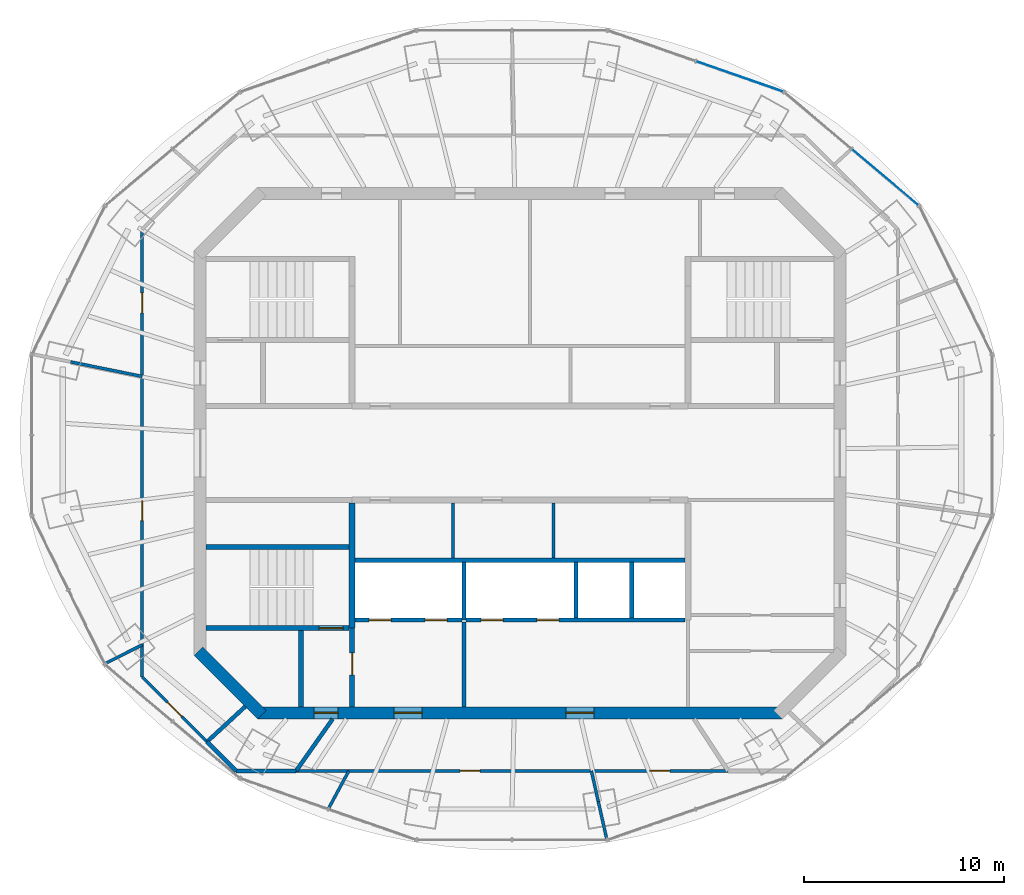
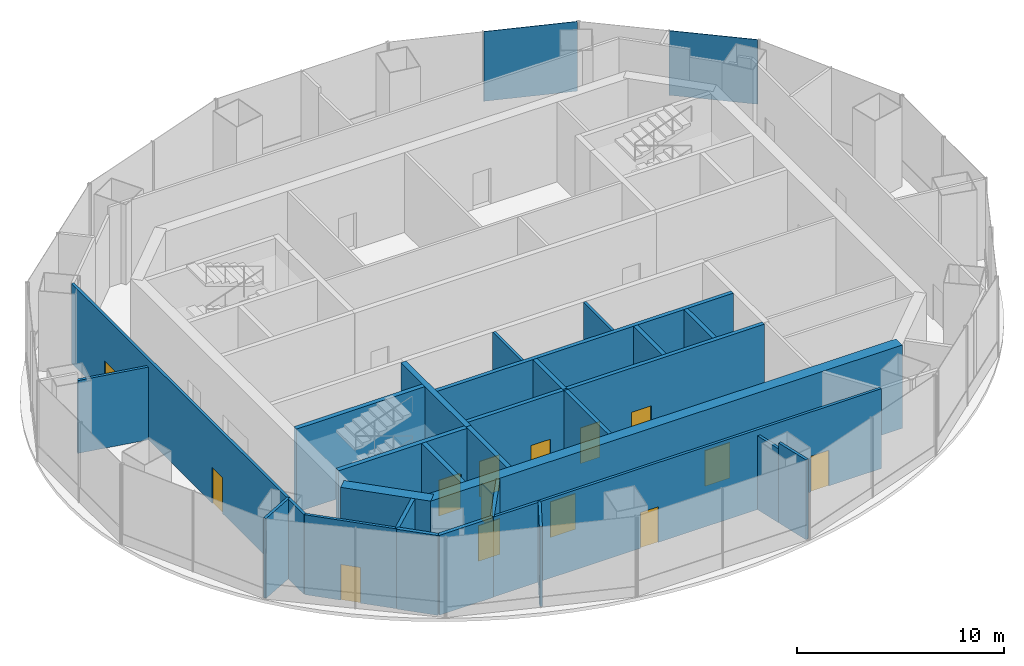
# One storey, part 8 of 11: 28 walls, 14 doors, 2 plates, 14 openings, 2 elements without a shape of their own.
"""IFC4 building model written with IfcOpenShell, lengths in metres."""

from ifc_helpers import new_model, si_unit, direction, frame, frame_2d, origin, origin_2d, place, context, subcontext, project, spatial, rectangle, extrude, material, layer, layer_set, type_object, element, fill, aggregate, save


model = new_model("IFC4")

# Units and contexts
model_context = context("Model", 3, precision=1e-05, world=origin(), true_north=direction((0.0, 1.0)))
body_context = subcontext(model_context, "Body", "Model", "MODEL_VIEW")
ifc_project = project(units=[si_unit("LENGTHUNIT", "METRE"), si_unit("AREAUNIT", "SQUARE_METRE"), si_unit("VOLUMEUNIT", "CUBIC_METRE"), si_unit("PLANEANGLEUNIT", "RADIAN"), si_unit("MASSUNIT", "GRAM", prefix="KILO")], contexts=[model_context])

# Site, building, storey
site_placement = place(None, origin())
site = spatial("IfcSite", under=ifc_project, at=site_placement, CompositionType="ELEMENT")
building_placement = place(site_placement, origin())
building = spatial("IfcBuilding", under=site, at=building_placement, Name="Marenthal Gate Tower", CompositionType="ELEMENT")
storey_placement = place(building_placement, frame((0.0, 0.0, 418.550048828125)))
storey = spatial("IfcBuildingStorey", under=building, at=storey_placement, Name="L94", CompositionType="ELEMENT", Elevation=418.550048828125)

# Curtain wall, plate
ifc_material_1 = material(Name="Aluminium and glass", Category="aluminium")
curtain_wall_type_1 = type_object("IfcCurtainWallType", Name="Curtain wall typical high", PredefinedType="NOTDEFINED", material=ifc_material_1)
curtain_wall_1_placement = place(storey_placement, origin())
curtain_wall_1 = element("IfcCurtainWall", 1, at=curtain_wall_1_placement, inside=storey, type_object=curtain_wall_type_1, Name="Curtain wall L94 bay 2", PredefinedType="NOTDEFINED")
ifc_material_2 = material(Name="Glass, laminated insulating unit", Category="glass")
ifc_layer_1 = layer(ifc_material_2, 0.031982421875)
ifc_layer_set_1 = layer_set([ifc_layer_1], Name="Glass panel 32 typical high")
plate_type_1 = type_object("IfcPlateType", Name="Glass panel 32 typical high", PredefinedType="CURTAIN_PANEL", material=ifc_layer_set_1)
plate_1_placement = place(storey_placement, frame((18.265869140625, 13.805908203125, 0.89990234375), z_axis=(0.0, 0.0, 1.0), x_axis=(-0.76457840185, 0.644530734274, 0.0)))
plate_1 = element("IfcPlate", 2, at=plate_1_placement, type_object=plate_type_1, Name="Glass panel L94 bay 2.1", PredefinedType="CURTAIN_PANEL", context=body_context, shape_type="SweptSolid", body=[
    extrude(rectangle(XDim=4.32958984375, YDim=0.031982421875, at=origin_2d()), origin(), (0.0, 0.0, 1.0), 3.800048828125),
])
aggregate(curtain_wall_1, [plate_1])

ifc_material_3 = material(Name="Aluminium and glass", Category="aluminium")
curtain_wall_type_2 = type_object("IfcCurtainWallType", Name="Curtain wall crown clad", PredefinedType="NOTDEFINED", material=ifc_material_3)
curtain_wall_2_placement = place(storey_placement, origin())
curtain_wall_2 = element("IfcCurtainWall", 3, at=curtain_wall_2_placement, inside=storey, type_object=curtain_wall_type_2, Name="Curtain wall L94 bay 3", PredefinedType="NOTDEFINED")
ifc_material_4 = material(Name="Terracotta cladding panel", Category="masonry")
ifc_layer_2 = layer(ifc_material_4, 0.031982421875)
ifc_layer_set_2 = layer_set([ifc_layer_2], Name="Terracotta panel 32 crown clad")
plate_type_2 = type_object("IfcPlateType", Name="Terracotta panel 32 crown clad", PredefinedType="CURTAIN_PANEL", material=ifc_layer_set_2)
plate_2_placement = place(storey_placement, frame((10.987060546875, 18.8447265625, 0.599853515625), z_axis=(0.0, 0.0, 1.0), x_axis=(-0.944101467707, 0.329654999466, 0.0)))
plate_2 = element("IfcPlate", 4, at=plate_2_placement, type_object=plate_type_2, Name="Terracotta panel L94 bay 3.1", PredefinedType="CURTAIN_PANEL", context=body_context, shape_type="SweptSolid", body=[
    extrude(rectangle(XDim=4.58642578125, YDim=0.031982421875, at=origin_2d()), origin(), (0.0, 0.0, 1.0), 4.10009765625),
])
aggregate(curtain_wall_2, [plate_2])

# Wall
ifc_material_5 = material(Name="Concrete 60 MPa", Category="concrete")
ifc_layer_3 = layer(ifc_material_5, 0.60009765625)
ifc_layer_set_3 = layer_set([ifc_layer_3], Name="Core shear wall 600")
wall_type_1 = type_object("IfcWallType", Name="Core shear wall 600", PredefinedType="SHEAR", material=ifc_layer_set_3)
wall_1_placement = place(storey_placement, frame((-16.087890625, -9.912109375, -0.199951171875), z_axis=(0.0, 0.0, 1.0), x_axis=(0.707106781187, -0.707106781187, 0.0)))
element("IfcWall", 5, at=wall_1_placement, inside=storey, type_object=wall_type_1, Name="Core wall 07", PredefinedType="SHEAR", context=body_context, shape_type="SweptSolid", body=[
    extrude(rectangle(XDim=4.4912109375, YDim=0.60009765625, at=frame_2d((2.24560546875, 0.0))), origin(), (0.0, 0.0, 1.0), 4.89990234375),
])

# Wall, openings, doors
wall_2_placement = place(storey_placement, frame((-13.124267578125, -13.0, -0.199951171875), z_axis=(0.0, 0.0, 1.0), x_axis=(1.0, 0.0, 0.0)))
wall_2 = element("IfcWall", 6, at=wall_2_placement, inside=storey, type_object=wall_type_1, Name="Core wall 08", PredefinedType="SHEAR", context=body_context, shape_type="SweptSolid", body=[
    extrude(rectangle(XDim=26.24853515625, YDim=0.60009765625, at=frame_2d((13.124267578125, 0.0))), origin(), (0.0, 0.0, 1.0), 4.89990234375),
])
opening_1_placement = place(wall_2_placement, frame((2.82421875, 0.0, 0.199951171875)))
opening_1 = element("IfcOpeningElement", 7, at=opening_1_placement, cuts=wall_2, Name="Opening D001.06", PredefinedType="OPENING", context=body_context, shape_type="SweptSolid", body=[
    extrude(rectangle(XDim=1.199951171875, YDim=2.10009765625, at=frame_2d((0.60009765625, 1.050048828125))), frame((0.0, 0.31005859375, 0.0), z_axis=(0.0, -1.0, 0.0), x_axis=(1.0, 0.0, 0.0)), (0.0, 0.0, 1.0), 0.6201171875),
])
opening_2_placement = place(wall_2_placement, frame((6.82421875, 0.0, 0.199951171875)))
opening_2 = element("IfcOpeningElement", 8, at=opening_2_placement, cuts=wall_2, Name="Opening D004.01", PredefinedType="OPENING", context=body_context, shape_type="SweptSolid", body=[
    extrude(rectangle(XDim=1.39990234375, YDim=2.10009765625, at=frame_2d((0.699951171875, 1.050048828125))), frame((0.0, 0.31005859375, 0.0), z_axis=(0.0, -1.0, 0.0), x_axis=(1.0, 0.0, 0.0)), (0.0, 0.0, 1.0), 0.6201171875),
])
opening_3_placement = place(wall_2_placement, frame((15.42431640625, 0.0, 0.199951171875)))
opening_3 = element("IfcOpeningElement", 9, at=opening_3_placement, cuts=wall_2, Name="Opening D004.02", PredefinedType="OPENING", context=body_context, shape_type="SweptSolid", body=[
    extrude(rectangle(XDim=1.39990234375, YDim=2.10009765625, at=frame_2d((0.699951171875, 1.050048828125))), frame((0.0, 0.31005859375, 0.0), z_axis=(0.0, -1.0, 0.0), x_axis=(1.0, 0.0, 0.0)), (0.0, 0.0, 1.0), 0.6201171875),
])
ifc_material_6 = material(Name="Steel fire door", Category="steel")
door_type_1 = type_object("IfcDoorType", Name="Fire door FD 45 1400 x 2100", OperationType="NOTDEFINED", PredefinedType="DOOR", material=ifc_material_6)
door_1_placement = place(opening_2_placement, origin())
door_1 = element("IfcDoor", 10, at=door_1_placement, inside=storey, type_object=door_type_1, Name="Door D004.01", OperationType="SINGLE_SWING_RIGHT", OverallHeight=2.10009765625, OverallWidth=1.39990234375, PredefinedType="DOOR", context=body_context, shape_type="SweptSolid", body=[
    extrude(rectangle(XDim=1.39990234375, YDim=2.10009765625, at=frame_2d((0.699951171875, 1.050048828125))), frame((0.0, 0.02490234375, 0.0), z_axis=(0.0, -1.0, 0.0), x_axis=(1.0, 0.0, 0.0)), (0.0, 0.0, 1.0), 0.050048828125),
])
fill(opening_2, door_1)
door_2_placement = place(opening_3_placement, origin())
door_2 = element("IfcDoor", 11, at=door_2_placement, inside=storey, type_object=door_type_1, Name="Door D004.02", OperationType="SINGLE_SWING_RIGHT", OverallHeight=2.10009765625, OverallWidth=1.39990234375, PredefinedType="DOOR", context=body_context, shape_type="SweptSolid", body=[
    extrude(rectangle(XDim=1.39990234375, YDim=2.10009765625, at=frame_2d((0.699951171875, 1.050048828125))), frame((0.0, 0.02490234375, 0.0), z_axis=(0.0, -1.0, 0.0), x_axis=(1.0, 0.0, 0.0)), (0.0, 0.0, 1.0), 0.050048828125),
])
fill(opening_3, door_2)
ifc_material_7 = material(Name="Steel fire door", Category="steel")
door_type_2 = type_object("IfcDoorType", Name="Fire door FD 90 1200 x 2100", OperationType="NOTDEFINED", PredefinedType="DOOR", material=ifc_material_7)
door_3_placement = place(opening_1_placement, frame((1.199951171875, 0.0, 0.0), z_axis=(0.0, 0.0, 1.0), x_axis=(-1.0, 0.0, 0.0)))
door_3 = element("IfcDoor", 12, at=door_3_placement, inside=storey, type_object=door_type_2, Name="Door D001.06", OperationType="SINGLE_SWING_LEFT", OverallHeight=2.10009765625, OverallWidth=1.199951171875, PredefinedType="DOOR", context=body_context, shape_type="SweptSolid", body=[
    extrude(rectangle(XDim=1.199951171875, YDim=2.10009765625, at=frame_2d((0.60009765625, 1.050048828125))), frame((0.0, 0.02490234375, 0.0), z_axis=(0.0, -1.0, 0.0), x_axis=(1.0, 0.0, 0.0)), (0.0, 0.0, 1.0), 0.050048828125),
])
fill(opening_1, door_3)

# Walls
ifc_material_8 = material(Name="Gypsum board on steel studs", Category="steel")
ifc_layer_4 = layer(ifc_material_8, 0.199951171875)
ifc_layer_set_4 = layer_set([ifc_layer_4], Name="Fire lobby wall 200")
wall_type_2 = type_object("IfcWallType", Name="Fire lobby wall 200", PredefinedType="PARTITIONING", material=ifc_layer_set_4)
wall_3_placement = place(storey_placement, frame((-2.800048828125, -12.699951171875, 0.0), z_axis=(0.0, 0.0, 1.0), x_axis=(0.0, 1.0, 0.0)))
element("IfcWall", 13, at=wall_3_placement, inside=storey, type_object=wall_type_2, Name="Fire wall 35", PredefinedType="PARTITIONING", context=body_context, shape_type="SweptSolid", body=[
    extrude(rectangle(XDim=4.239990234375, YDim=0.199951171875, at=frame_2d((2.1201171875, 0.0))), origin(), (0.0, 0.0, 1.0), 4.699951171875),
])
ifc_material_9 = material(Name="Concrete 50 MPa", Category="concrete")
ifc_layer_5 = layer(ifc_material_9, 0.300048828125)
ifc_layer_set_5 = layer_set([ifc_layer_5], Name="Hoistway shear wall 300")
wall_type_3 = type_object("IfcWallType", Name="Hoistway shear wall 300", PredefinedType="SHEAR", material=ifc_layer_set_5)
wall_4_placement = place(storey_placement, frame((-8.39990234375, -8.75, -0.199951171875), z_axis=(0.0, 0.0, 1.0), x_axis=(0.0, 1.0, 0.0)))
element("IfcWall", 14, at=wall_4_placement, inside=storey, type_object=wall_type_3, Name="Hoistway wall 30", PredefinedType="SHEAR", context=body_context, shape_type="SweptSolid", body=[
    extrude(rectangle(XDim=6.25, YDim=0.300048828125, at=frame_2d((3.125, 0.0))), origin(), (0.0, 0.0, 1.0), 4.89990234375),
])

# Wall, openings, doors
ifc_material_10 = material(Name="Concrete 40 MPa", Category="concrete")
ifc_layer_6 = layer(ifc_material_10, 0.219970703125)
ifc_layer_set_6 = layer_set([ifc_layer_6], Name="Hoistway wall 220")
wall_type_4 = type_object("IfcWallType", Name="Hoistway wall 220", PredefinedType="STANDARD", material=ifc_layer_set_6)
wall_5_placement = place(storey_placement, frame((-8.25, -8.35009765625, 0.0), z_axis=(0.0, 0.0, 1.0), x_axis=(1.0, 0.0, 0.0)))
wall_5 = element("IfcWall", 15, at=wall_5_placement, inside=storey, type_object=wall_type_4, Name="Hoistway wall 11", PredefinedType="STANDARD", context=body_context, shape_type="SweptSolid", body=[
    extrude(rectangle(XDim=5.340087890625, YDim=0.219970703125, at=frame_2d((2.669921875, 0.0))), origin(), (0.0, 0.0, 1.0), 4.699951171875),
])
opening_4_placement = place(wall_5_placement, frame((0.699951171875, 0.0, 0.0)))
opening_4 = element("IfcOpeningElement", 16, at=opening_4_placement, cuts=wall_5, Name="Opening LD-LF1", PredefinedType="OPENING", context=body_context, shape_type="SweptSolid", body=[
    extrude(rectangle(XDim=1.10009765625, YDim=2.10009765625, at=frame_2d((0.550048828125, 1.050048828125))), frame((0.0, 0.1201171875, 0.0), z_axis=(0.0, -1.0, 0.0), x_axis=(1.0, 0.0, 0.0)), (0.0, 0.0, 1.0), 0.239990234375),
])
opening_5_placement = place(wall_5_placement, frame((3.5, 0.0, 0.0)))
opening_5 = element("IfcOpeningElement", 17, at=opening_5_placement, cuts=wall_5, Name="Opening LD-LF2", PredefinedType="OPENING", context=body_context, shape_type="SweptSolid", body=[
    extrude(rectangle(XDim=1.10009765625, YDim=2.10009765625, at=frame_2d((0.550048828125, 1.050048828125))), frame((0.0, 0.1201171875, 0.0), z_axis=(0.0, -1.0, 0.0), x_axis=(1.0, 0.0, 0.0)), (0.0, 0.0, 1.0), 0.239990234375),
])
ifc_material_11 = material(Name="Stainless steel sliding door", Category="steel")
door_type_3 = type_object("IfcDoorType", Name="Lift landing door FD 90 1100 x 2100", OperationType="DOUBLE_DOOR_SLIDING", PredefinedType="DOOR", material=ifc_material_11)
door_4_placement = place(opening_4_placement, origin())
door_4 = element("IfcDoor", 18, at=door_4_placement, inside=storey, type_object=door_type_3, Name="Lift landing door LF1", OperationType="DOUBLE_DOOR_SLIDING", OverallHeight=2.10009765625, OverallWidth=1.10009765625, PredefinedType="DOOR", context=body_context, shape_type="SweptSolid", body=[
    extrude(rectangle(XDim=1.10009765625, YDim=2.10009765625, at=frame_2d((0.550048828125, 1.050048828125))), frame((0.0, 0.02490234375, 0.0), z_axis=(0.0, -1.0, 0.0), x_axis=(1.0, 0.0, 0.0)), (0.0, 0.0, 1.0), 0.050048828125),
])
fill(opening_4, door_4)
door_5_placement = place(opening_5_placement, origin())
door_5 = element("IfcDoor", 19, at=door_5_placement, inside=storey, type_object=door_type_3, Name="Lift landing door LF2", OperationType="DOUBLE_DOOR_SLIDING", OverallHeight=2.10009765625, OverallWidth=1.10009765625, PredefinedType="DOOR", context=body_context, shape_type="SweptSolid", body=[
    extrude(rectangle(XDim=1.10009765625, YDim=2.10009765625, at=frame_2d((0.550048828125, 1.050048828125))), frame((0.0, 0.02490234375, 0.0), z_axis=(0.0, -1.0, 0.0), x_axis=(1.0, 0.0, 0.0)), (0.0, 0.0, 1.0), 0.050048828125),
])
fill(opening_5, door_5)

wall_6_placement = place(storey_placement, frame((-2.68994140625, -8.35009765625, 0.0), z_axis=(0.0, 0.0, 1.0), x_axis=(1.0, 0.0, 0.0)))
wall_6 = element("IfcWall", 20, at=wall_6_placement, inside=storey, type_object=wall_type_4, Name="Hoistway wall 12", PredefinedType="STANDARD", context=body_context, shape_type="SweptSolid", body=[
    extrude(rectangle(XDim=10.93994140625, YDim=0.219970703125, at=frame_2d((5.469970703125, 0.0))), origin(), (0.0, 0.0, 1.0), 4.699951171875),
])
opening_6_placement = place(wall_6_placement, frame((0.739990234375, 0.0, 0.0)))
opening_6 = element("IfcOpeningElement", 21, at=opening_6_placement, cuts=wall_6, Name="Opening LD-SV1", PredefinedType="OPENING", context=body_context, shape_type="SweptSolid", body=[
    extrude(rectangle(XDim=1.10009765625, YDim=2.10009765625, at=frame_2d((0.550048828125, 1.050048828125))), frame((0.0, 0.1201171875, 0.0), z_axis=(0.0, -1.0, 0.0), x_axis=(1.0, 0.0, 0.0)), (0.0, 0.0, 1.0), 0.239990234375),
])
opening_7_placement = place(wall_6_placement, frame((3.5400390625, 0.0, 0.0)))
opening_7 = element("IfcOpeningElement", 22, at=opening_7_placement, cuts=wall_6, Name="Opening LD-SV2", PredefinedType="OPENING", context=body_context, shape_type="SweptSolid", body=[
    extrude(rectangle(XDim=1.10009765625, YDim=2.10009765625, at=frame_2d((0.550048828125, 1.050048828125))), frame((0.0, 0.1201171875, 0.0), z_axis=(0.0, -1.0, 0.0), x_axis=(1.0, 0.0, 0.0)), (0.0, 0.0, 1.0), 0.239990234375),
])
door_6_placement = place(opening_6_placement, origin())
door_6 = element("IfcDoor", 23, at=door_6_placement, inside=storey, type_object=door_type_3, Name="Lift landing door SV1", OperationType="DOUBLE_DOOR_SLIDING", OverallHeight=2.10009765625, OverallWidth=1.10009765625, PredefinedType="DOOR", context=body_context, shape_type="SweptSolid", body=[
    extrude(rectangle(XDim=1.10009765625, YDim=2.10009765625, at=frame_2d((0.550048828125, 1.050048828125))), frame((0.0, 0.02490234375, 0.0), z_axis=(0.0, -1.0, 0.0), x_axis=(1.0, 0.0, 0.0)), (0.0, 0.0, 1.0), 0.050048828125),
])
fill(opening_6, door_6)
door_7_placement = place(opening_7_placement, origin())
door_7 = element("IfcDoor", 24, at=door_7_placement, inside=storey, type_object=door_type_3, Name="Lift landing door SV2", OperationType="DOUBLE_DOOR_SLIDING", OverallHeight=2.10009765625, OverallWidth=1.10009765625, PredefinedType="DOOR", context=body_context, shape_type="SweptSolid", body=[
    extrude(rectangle(XDim=1.10009765625, YDim=2.10009765625, at=frame_2d((0.550048828125, 1.050048828125))), frame((0.0, 0.02490234375, 0.0), z_axis=(0.0, -1.0, 0.0), x_axis=(1.0, 0.0, 0.0)), (0.0, 0.0, 1.0), 0.050048828125),
])
fill(opening_7, door_7)

# Walls
wall_7_placement = place(storey_placement, frame((-8.25, -5.35009765625, 0.0), z_axis=(0.0, 0.0, 1.0), x_axis=(1.0, 0.0, 0.0)))
element("IfcWall", 25, at=wall_7_placement, inside=storey, type_object=wall_type_4, Name="Hoistway wall 14", PredefinedType="STANDARD", context=body_context, shape_type="SweptSolid", body=[
    extrude(rectangle(XDim=16.5, YDim=0.219970703125, at=frame_2d((8.25, 0.0))), origin(), (0.0, 0.0, 1.0), 4.699951171875),
])
wall_8_placement = place(storey_placement, frame((-2.800048828125, -8.35009765625, 0.0), z_axis=(0.0, 0.0, 1.0), x_axis=(0.0, 1.0, 0.0)))
element("IfcWall", 26, at=wall_8_placement, inside=storey, type_object=wall_type_4, Name="Hoistway wall 36", PredefinedType="STANDARD", context=body_context, shape_type="SweptSolid", body=[
    extrude(rectangle(XDim=2.89013671875, YDim=0.219970703125, at=frame_2d((1.445068359375, 0.0))), origin(), (0.0, 0.0, 1.0), 4.699951171875),
])
for number, where, z_axis, x_axis, name in (
    (27, (2.800048828125, -8.239990234375, 0.0), (0.0, 0.0, 1.0), (0.0, 1.0, 0.0), "Hoistway wall 40"),
    (28, (5.60009765625, -8.239990234375, 0.0), (0.0, 0.0, 1.0), (0.0, 1.0, 0.0), "Hoistway wall 41"),
):
    element("IfcWall", number, at=place(storey_placement, frame(where, z_axis=z_axis, x_axis=x_axis)), inside=storey, type_object=wall_type_4, Name=name, PredefinedType="STANDARD", context=body_context, shape_type="SweptSolid", body=[
        extrude(rectangle(XDim=2.780029296875, YDim=0.219970703125, at=frame_2d((1.39013671875, 0.0))), origin(), (0.0, 0.0, 1.0), 4.699951171875),
    ])
ifc_material_12 = material(Name="Gypsum board on steel studs", Category="steel")
ifc_layer_7 = layer(ifc_material_12, 0.14990234375)
ifc_layer_set_7 = layer_set([ifc_layer_7], Name="Partition 150")
wall_type_5 = type_object("IfcWallType", Name="Partition 150", PredefinedType="PARTITIONING", material=ifc_layer_set_7)
for number, where, z_axis, x_axis, name in (
    (29, (-3.360107421875, -5.239990234375, 0.0), (0.0, 0.0, 1.0), (0.0, 1.0, 0.0), "Partition wall 34"),
    (30, (1.679931640625, -5.239990234375, 0.0), (0.0, 0.0, 1.0), (0.0, 1.0, 0.0), "Partition wall 38"),
):
    element("IfcWall", number, at=place(storey_placement, frame(where, z_axis=z_axis, x_axis=x_axis)), inside=storey, type_object=wall_type_5, Name=name, PredefinedType="PARTITIONING", context=body_context, shape_type="SweptSolid", body=[
        extrude(rectangle(XDim=2.739990234375, YDim=0.14990234375, at=frame_2d((1.3701171875, 0.0))), origin(), (0.0, 0.0, 1.0), 4.699951171875),
    ])

# Wall, openings, doors
wall_9_placement = place(storey_placement, frame((-11.202392578125, -15.89990234375, 0.0), z_axis=(0.0, 0.0, 1.0), x_axis=(1.0, 0.0, 0.0)))
wall_9 = element("IfcWall", 31, at=wall_9_placement, inside=storey, type_object=wall_type_5, Name="Partition wall 48", PredefinedType="PARTITIONING", context=body_context, shape_type="SweptSolid", body=[
    extrude(rectangle(XDim=21.613525390625, YDim=0.14990234375, at=frame_2d((10.806640625, 0.0))), origin(), (0.0, 0.0, 1.0), 4.699951171875),
])
opening_8_placement = place(wall_9_placement, frame((8.206787109375, 0.0, 0.0)))
opening_8 = element("IfcOpeningElement", 32, at=opening_8_placement, cuts=wall_9, Name="Opening D005.17", PredefinedType="OPENING", context=body_context, shape_type="SweptSolid", body=[
    extrude(rectangle(XDim=1.0, YDim=2.10009765625, at=frame_2d((0.5, 1.050048828125))), frame((0.0, 0.0849609375, 0.0), z_axis=(0.0, -1.0, 0.0), x_axis=(1.0, 0.0, 0.0)), (0.0, 0.0, 1.0), 0.169921875),
])
opening_9_placement = place(wall_9_placement, frame((17.697021484375, 0.0, 0.0)))
opening_9 = element("IfcOpeningElement", 33, at=opening_9_placement, cuts=wall_9, Name="Opening D005.18", PredefinedType="OPENING", context=body_context, shape_type="SweptSolid", body=[
    extrude(rectangle(XDim=1.0, YDim=2.10009765625, at=frame_2d((0.5, 1.050048828125))), frame((0.0, 0.0849609375, 0.0), z_axis=(0.0, -1.0, 0.0), x_axis=(1.0, 0.0, 0.0)), (0.0, 0.0, 1.0), 0.169921875),
])
ifc_material_13 = material(Name="Steel fire door", Category="steel")
door_type_4 = type_object("IfcDoorType", Name="Fire door FD 45 1000 x 2100", OperationType="NOTDEFINED", PredefinedType="DOOR", material=ifc_material_13)
door_8_placement = place(opening_8_placement, frame((1.0, 0.0, 0.0), z_axis=(0.0, 0.0, 1.0), x_axis=(-1.0, 0.0, 0.0)))
door_8 = element("IfcDoor", 34, at=door_8_placement, inside=storey, type_object=door_type_4, Name="Door D005.17", OperationType="SINGLE_SWING_LEFT", OverallHeight=2.10009765625, OverallWidth=1.0, PredefinedType="DOOR", context=body_context, shape_type="SweptSolid", body=[
    extrude(rectangle(XDim=1.0, YDim=2.10009765625, at=frame_2d((0.5, 1.050048828125))), frame((0.0, 0.02490234375, 0.0), z_axis=(0.0, -1.0, 0.0), x_axis=(1.0, 0.0, 0.0)), (0.0, 0.0, 1.0), 0.050048828125),
])
fill(opening_8, door_8)
door_9_placement = place(opening_9_placement, frame((1.0, 0.0, 0.0), z_axis=(0.0, 0.0, 1.0), x_axis=(-1.0, 0.0, 0.0)))
door_9 = element("IfcDoor", 35, at=door_9_placement, inside=storey, type_object=door_type_4, Name="Door D005.18", OperationType="SINGLE_SWING_LEFT", OverallHeight=2.10009765625, OverallWidth=1.0, PredefinedType="DOOR", context=body_context, shape_type="SweptSolid", body=[
    extrude(rectangle(XDim=1.0, YDim=2.10009765625, at=frame_2d((0.5, 1.050048828125))), frame((0.0, 0.02490234375, 0.0), z_axis=(0.0, -1.0, 0.0), x_axis=(1.0, 0.0, 0.0)), (0.0, 0.0, 1.0), 0.050048828125),
])
fill(opening_9, door_9)

# Walls
wall_10_placement = place(storey_placement, frame((-20.76220703125, -10.535888671875, 0.0), z_axis=(0.0, 0.0, 1.0), x_axis=(0.891793061208, 0.452443516895, 0.0)))
element("IfcWall", 36, at=wall_10_placement, inside=storey, type_object=wall_type_5, Name="Partition wall 51", PredefinedType="PARTITIONING", context=body_context, shape_type="SweptSolid", body=[
    extrude(rectangle(XDim=2.08837890625, YDim=0.14990234375, at=frame_2d((1.044189453125, 0.0))), origin(), (0.0, 0.0, 1.0), 4.699951171875),
])
wall_11_placement = place(storey_placement, frame((-9.583984375, -17.792724609375, 0.0), z_axis=(0.0, 0.0, 1.0), x_axis=(0.474126911312, 0.880456513389, 0.0)))
element("IfcWall", 37, at=wall_11_placement, inside=storey, type_object=wall_type_5, Name="Partition wall 55", PredefinedType="PARTITIONING", context=body_context, shape_type="SweptSolid", body=[
    extrude(rectangle(XDim=2.14990234375, YDim=0.14990234375, at=frame_2d((1.074951171875, 0.0))), origin(), (0.0, 0.0, 1.0), 4.699951171875),
])

# Wall, openings, doors
wall_12_placement = place(storey_placement, frame((-18.89990234375, -11.201416015625, 0.0), z_axis=(0.0, 0.0, 1.0), x_axis=(0.0, 1.0, 0.0)))
wall_12 = element("IfcWall", 38, at=wall_12_placement, inside=storey, type_object=wall_type_5, Name="Partition wall 57", PredefinedType="PARTITIONING", context=body_context, shape_type="SweptSolid", body=[
    extrude(rectangle(XDim=22.40283203125, YDim=0.14990234375, at=frame_2d((11.201416015625, 0.0))), origin(), (0.0, 0.0, 1.0), 4.699951171875),
])
opening_10_placement = place(wall_12_placement, frame((18.22021484375, 0.0, 0.0)))
opening_10 = element("IfcOpeningElement", 39, at=opening_10_placement, cuts=wall_12, Name="Opening D005.14", PredefinedType="OPENING", context=body_context, shape_type="SweptSolid", body=[
    extrude(rectangle(XDim=1.0, YDim=2.10009765625, at=frame_2d((0.5, 1.050048828125))), frame((0.0, 0.0849609375, 0.0), z_axis=(0.0, -1.0, 0.0), x_axis=(1.0, 0.0, 0.0)), (0.0, 0.0, 1.0), 0.169921875),
])
opening_11_placement = place(wall_12_placement, frame((7.82421875, 0.0, 0.0)))
opening_11 = element("IfcOpeningElement", 40, at=opening_11_placement, cuts=wall_12, Name="Opening D005.15", PredefinedType="OPENING", context=body_context, shape_type="SweptSolid", body=[
    extrude(rectangle(XDim=1.0, YDim=2.10009765625, at=frame_2d((0.5, 1.050048828125))), frame((0.0, 0.0849609375, 0.0), z_axis=(0.0, -1.0, 0.0), x_axis=(1.0, 0.0, 0.0)), (0.0, 0.0, 1.0), 0.169921875),
])
door_10_placement = place(opening_10_placement, origin())
door_10 = element("IfcDoor", 41, at=door_10_placement, inside=storey, type_object=door_type_4, Name="Door D005.14", OperationType="SINGLE_SWING_RIGHT", OverallHeight=2.10009765625, OverallWidth=1.0, PredefinedType="DOOR", context=body_context, shape_type="SweptSolid", body=[
    extrude(rectangle(XDim=1.0, YDim=2.10009765625, at=frame_2d((0.5, 1.050048828125))), frame((0.0, 0.02490234375, 0.0), z_axis=(0.0, -1.0, 0.0), x_axis=(1.0, 0.0, 0.0)), (0.0, 0.0, 1.0), 0.050048828125),
])
fill(opening_10, door_10)
door_11_placement = place(opening_11_placement, origin())
door_11 = element("IfcDoor", 42, at=door_11_placement, inside=storey, type_object=door_type_4, Name="Door D005.15", OperationType="SINGLE_SWING_RIGHT", OverallHeight=2.10009765625, OverallWidth=1.0, PredefinedType="DOOR", context=body_context, shape_type="SweptSolid", body=[
    extrude(rectangle(XDim=1.0, YDim=2.10009765625, at=frame_2d((0.5, 1.050048828125))), frame((0.0, 0.02490234375, 0.0), z_axis=(0.0, -1.0, 0.0), x_axis=(1.0, 0.0, 0.0)), (0.0, 0.0, 1.0), 0.050048828125),
])
fill(opening_11, door_11)

# Walls
wall_13_placement = place(storey_placement, frame((4.34423828125, -19.332275390625, 0.0), z_axis=(0.0, 0.0, 1.0), x_axis=(-0.219298106663, 0.975657901323, 0.0)))
element("IfcWall", 43, at=wall_13_placement, inside=storey, type_object=wall_type_5, Name="Partition wall 59", PredefinedType="PARTITIONING", context=body_context, shape_type="SweptSolid", body=[
    extrude(rectangle(XDim=1.953857421875, YDim=0.14990234375, at=frame_2d((0.97705078125, 0.0))), origin(), (0.0, 0.0, 1.0), 4.699951171875),
])
wall_14_placement = place(storey_placement, frame((3.915771484375, -17.426025390625, 0.0), z_axis=(0.0, 0.0, 1.0), x_axis=(-0.219144481839, 0.975692418787, 0.0)))
element("IfcWall", 44, at=wall_14_placement, inside=storey, type_object=wall_type_5, Name="Partition wall 74", PredefinedType="PARTITIONING", context=body_context, shape_type="SweptSolid", body=[
    extrude(rectangle(XDim=1.564208984375, YDim=0.14990234375, at=frame_2d((0.7822265625, 0.0))), origin(), (0.0, 0.0, 1.0), 4.346923828125),
])

# Wall, opening, door
wall_15_placement = place(storey_placement, frame((-15.657958984375, -14.443359375, 0.0), z_axis=(0.0, 0.0, 1.0), x_axis=(-0.707080156687, 0.707133404684, 0.0)))
wall_15 = element("IfcWall", 45, at=wall_15_placement, inside=storey, type_object=wall_type_5, Name="Partition wall 61", PredefinedType="PARTITIONING", context=body_context, shape_type="SweptSolid", body=[
    extrude(rectangle(XDim=4.5849609375, YDim=0.14990234375, at=frame_2d((2.29248046875, 0.0))), origin(), (0.0, 0.0, 1.0), 4.699951171875),
])
opening_12_placement = place(wall_15_placement, frame((1.789794921875, 0.0, 0.0)))
opening_12 = element("IfcOpeningElement", 46, at=opening_12_placement, cuts=wall_15, Name="Opening D005.16", PredefinedType="OPENING", context=body_context, shape_type="SweptSolid", body=[
    extrude(rectangle(XDim=1.0, YDim=2.10009765625, at=frame_2d((0.5, 1.050048828125))), frame((0.0, 0.0849609375, 0.0), z_axis=(0.0, -1.0, 0.0), x_axis=(1.0, 0.0, 0.0)), (0.0, 0.0, 1.0), 0.169921875),
])
door_12_placement = place(opening_12_placement, origin())
door_12 = element("IfcDoor", 47, at=door_12_placement, inside=storey, type_object=door_type_4, Name="Door D005.16", OperationType="SINGLE_SWING_RIGHT", OverallHeight=2.10009765625, OverallWidth=1.0, PredefinedType="DOOR", context=body_context, shape_type="SweptSolid", body=[
    extrude(rectangle(XDim=1.0, YDim=2.10009765625, at=frame_2d((0.5, 1.050048828125))), frame((0.0, 0.02490234375, 0.0), z_axis=(0.0, -1.0, 0.0), x_axis=(1.0, 0.0, 0.0)), (0.0, 0.0, 1.0), 0.050048828125),
])
fill(opening_12, door_12)

# Walls
wall_16_placement = place(storey_placement, frame((-18.89990234375, 3.836669921875, 0.0), z_axis=(0.0, 0.0, 1.0), x_axis=(-0.980010753304, 0.198944523445, 0.0)))
element("IfcWall", 48, at=wall_16_placement, inside=storey, type_object=wall_type_5, Name="Partition wall 63", PredefinedType="PARTITIONING", context=body_context, shape_type="SweptSolid", body=[
    extrude(rectangle(XDim=3.65087890625, YDim=0.14990234375, at=frame_2d((1.825439453125, 0.0))), origin(), (0.0, 0.0, 1.0), 4.282958984375),
])
ifc_material_14 = material(Name="Gypsum board on steel studs", Category="steel")
ifc_layer_8 = layer(ifc_material_14, 0.199951171875)
ifc_layer_set_8 = layer_set([ifc_layer_8], Name="Partition 200")
wall_type_6 = type_object("IfcWallType", Name="Partition 200", PredefinedType="PARTITIONING", material=ifc_layer_set_8)
wall_17_placement = place(storey_placement, frame((-14.201416015625, -15.89990234375, 0.0), z_axis=(0.0, 0.0, 1.0), x_axis=(1.0, 0.0, 0.0)))
element("IfcWall", 49, at=wall_17_placement, inside=storey, type_object=wall_type_6, Name="Partition wall 65", PredefinedType="PARTITIONING", context=body_context, shape_type="SweptSolid", body=[
    extrude(rectangle(XDim=3.002685546875, YDim=0.199951171875, at=frame_2d((1.50146484375, 0.0))), origin(), (0.0, 0.0, 1.0), 4.699951171875),
])
wall_18_placement = place(storey_placement, frame((-15.657958984375, -14.443359375, 0.0), z_axis=(0.0, 0.0, 1.0), x_axis=(0.735008442526, 0.678057954319, 0.0)))
element("IfcWall", 50, at=wall_18_placement, inside=storey, type_object=wall_type_6, Name="Partition wall 67", PredefinedType="PARTITIONING", context=body_context, shape_type="SweptSolid", body=[
    extrude(rectangle(XDim=2.60205078125, YDim=0.199951171875, at=frame_2d((1.301025390625, 0.0))), origin(), (0.0, 0.0, 1.0), 4.699951171875),
])
wall_19_placement = place(storey_placement, frame((-11.202392578125, -15.89990234375, 0.0), z_axis=(0.0, 0.0, 1.0), x_axis=(0.575968689272, 0.817471754239, 0.0)))
element("IfcWall", 51, at=wall_19_placement, inside=storey, type_object=wall_type_6, Name="Partition wall 68", PredefinedType="PARTITIONING", context=body_context, shape_type="SweptSolid", body=[
    extrude(rectangle(XDim=3.180419921875, YDim=0.199951171875, at=frame_2d((1.59033203125, 0.0))), origin(), (0.0, 0.0, 1.0), 4.699951171875),
])
wall_20_placement = place(storey_placement, frame((-14.201416015625, -15.89990234375, 0.0), z_axis=(0.0, 0.0, 1.0), x_axis=(-0.707106781187, 0.707106781187, 0.0)))
element("IfcWall", 52, at=wall_20_placement, inside=storey, type_object=wall_type_6, Name="Partition wall 70", PredefinedType="PARTITIONING", context=body_context, shape_type="SweptSolid", body=[
    extrude(rectangle(XDim=2.06298828125, YDim=0.199951171875, at=frame_2d((1.031494140625, 0.0))), origin(), (0.0, 0.0, 1.0), 4.699951171875),
])
ifc_material_15 = material(Name="Concrete 40 MPa", Category="concrete")
ifc_layer_9 = layer(ifc_material_15, 0.25)
ifc_layer_set_9 = layer_set([ifc_layer_9], Name="Stair enclosure wall 250")
wall_type_7 = type_object("IfcWallType", Name="Stair enclosure wall 250", PredefinedType="STANDARD", material=ifc_layer_set_9)
wall_21_placement = place(storey_placement, frame((-10.949951171875, -12.699951171875, 0.0), z_axis=(0.0, 0.0, 1.0), x_axis=(0.0, 1.0, 0.0)))
element("IfcWall", 53, at=wall_21_placement, inside=storey, type_object=wall_type_7, Name="Stair wall 28", PredefinedType="STANDARD", context=body_context, shape_type="SweptSolid", body=[
    extrude(rectangle(XDim=3.824951171875, YDim=0.25, at=frame_2d((1.91259765625, 0.0))), origin(), (0.0, 0.0, 1.0), 4.699951171875),
])

# Wall, opening, door
wall_22_placement = place(storey_placement, frame((-8.39990234375, -12.699951171875, 0.0), z_axis=(0.0, 0.0, 1.0), x_axis=(0.0, 1.0, 0.0)))
wall_22 = element("IfcWall", 54, at=wall_22_placement, inside=storey, type_object=wall_type_7, Name="Stair wall 29", PredefinedType="STANDARD", context=body_context, shape_type="SweptSolid", body=[
    extrude(rectangle(XDim=3.949951171875, YDim=0.25, at=frame_2d((1.97509765625, 0.0))), origin(), (0.0, 0.0, 1.0), 4.699951171875),
])
opening_13_placement = place(wall_22_placement, frame((1.60009765625, 0.0, 0.0)))
opening_13 = element("IfcOpeningElement", 55, at=opening_13_placement, cuts=wall_22, Name="Opening D002.01", PredefinedType="OPENING", context=body_context, shape_type="SweptSolid", body=[
    extrude(rectangle(XDim=1.10009765625, YDim=2.10009765625, at=frame_2d((0.550048828125, 1.050048828125))), frame((0.0, 0.135009765625, 0.0), z_axis=(0.0, -1.0, 0.0), x_axis=(1.0, 0.0, 0.0)), (0.0, 0.0, 1.0), 0.27001953125),
])
ifc_material_16 = material(Name="Steel fire door", Category="steel")
door_type_5 = type_object("IfcDoorType", Name="Fire door FD 90 1100 x 2100", OperationType="NOTDEFINED", PredefinedType="DOOR", material=ifc_material_16)
door_13_placement = place(opening_13_placement, origin())
door_13 = element("IfcDoor", 56, at=door_13_placement, inside=storey, type_object=door_type_5, Name="Door D002.01", OperationType="SINGLE_SWING_RIGHT", OverallHeight=2.10009765625, OverallWidth=1.10009765625, PredefinedType="DOOR", context=body_context, shape_type="SweptSolid", body=[
    extrude(rectangle(XDim=1.10009765625, YDim=2.10009765625, at=frame_2d((0.550048828125, 1.050048828125))), frame((0.0, 0.02490234375, 0.0), z_axis=(0.0, -1.0, 0.0), x_axis=(1.0, 0.0, 0.0)), (0.0, 0.0, 1.0), 0.050048828125),
])
fill(opening_13, door_13)

ifc_material_17 = material(Name="Concrete 50 MPa", Category="concrete")
ifc_layer_10 = layer(ifc_material_17, 0.25)
ifc_layer_set_10 = layer_set([ifc_layer_10], Name="Stair shear wall 250")
wall_type_8 = type_object("IfcWallType", Name="Stair shear wall 250", PredefinedType="SHEAR", material=ifc_layer_set_10)
wall_23_placement = place(storey_placement, frame((-15.699951171875, -8.75, -0.199951171875), z_axis=(0.0, 0.0, 1.0), x_axis=(1.0, 0.0, 0.0)))
wall_23 = element("IfcWall", 57, at=wall_23_placement, inside=storey, type_object=wall_type_8, Name="Stair wall 10", PredefinedType="SHEAR", context=body_context, shape_type="SweptSolid", body=[
    extrude(rectangle(XDim=7.14990234375, YDim=0.25, at=frame_2d((3.574951171875, 0.0))), origin(), (0.0, 0.0, 1.0), 4.89990234375),
])
opening_14_placement = place(wall_23_placement, frame((5.64990234375, 0.0, 0.199951171875)))
opening_14 = element("IfcOpeningElement", 58, at=opening_14_placement, cuts=wall_23, Name="Opening D001.03", PredefinedType="OPENING", context=body_context, shape_type="SweptSolid", body=[
    extrude(rectangle(XDim=1.199951171875, YDim=2.10009765625, at=frame_2d((0.60009765625, 1.050048828125))), frame((0.0, 0.135009765625, 0.0), z_axis=(0.0, -1.0, 0.0), x_axis=(1.0, 0.0, 0.0)), (0.0, 0.0, 1.0), 0.27001953125),
])
door_14_placement = place(opening_14_placement, origin())
door_14 = element("IfcDoor", 59, at=door_14_placement, inside=storey, type_object=door_type_2, Name="Door D001.03", OperationType="SINGLE_SWING_RIGHT", OverallHeight=2.10009765625, OverallWidth=1.199951171875, PredefinedType="DOOR", context=body_context, shape_type="SweptSolid", body=[
    extrude(rectangle(XDim=1.199951171875, YDim=2.10009765625, at=frame_2d((0.60009765625, 1.050048828125))), frame((0.0, 0.02490234375, 0.0), z_axis=(0.0, -1.0, 0.0), x_axis=(1.0, 0.0, 0.0)), (0.0, 0.0, 1.0), 0.050048828125),
])
fill(opening_14, door_14)

# Wall
wall_24_placement = place(storey_placement, frame((-15.699951171875, -4.699951171875, -0.199951171875), z_axis=(0.0, 0.0, 1.0), x_axis=(1.0, 0.0, 0.0)))
element("IfcWall", 60, at=wall_24_placement, inside=storey, type_object=wall_type_8, Name="Stair wall 15", PredefinedType="SHEAR", context=body_context, shape_type="SweptSolid", body=[
    extrude(rectangle(XDim=7.14990234375, YDim=0.25, at=frame_2d((3.574951171875, 0.0))), origin(), (0.0, 0.0, 1.0), 4.89990234375),
])

save(model, "model.ifc")
